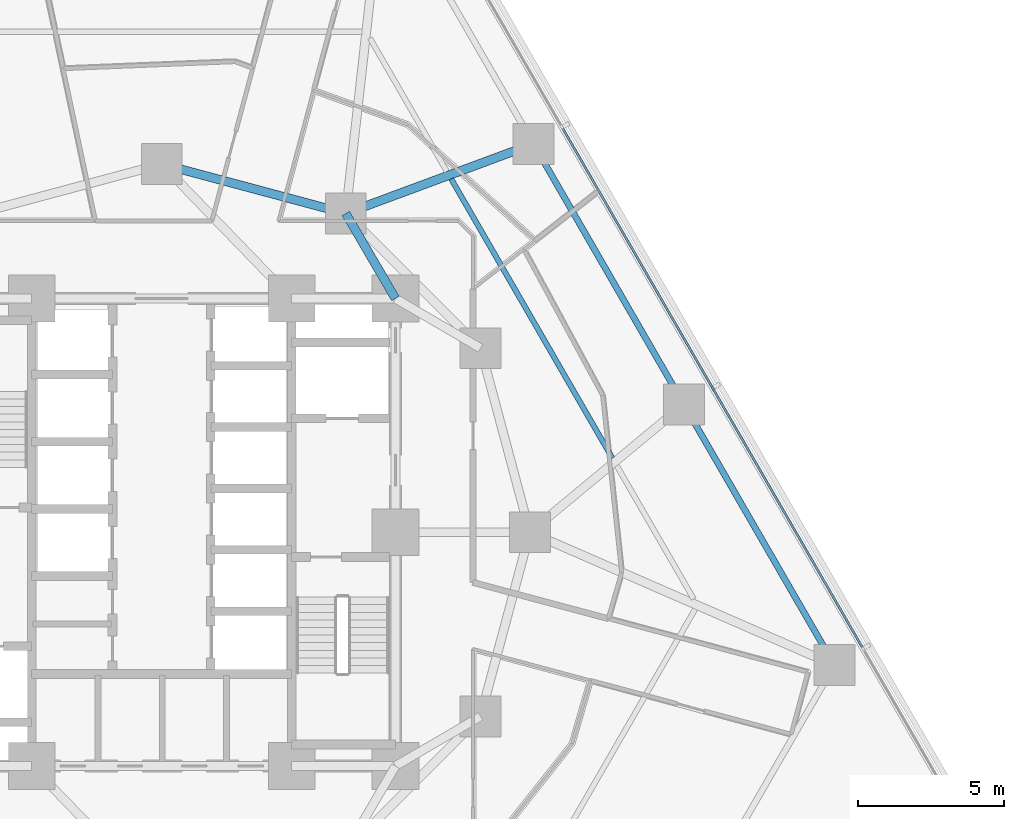
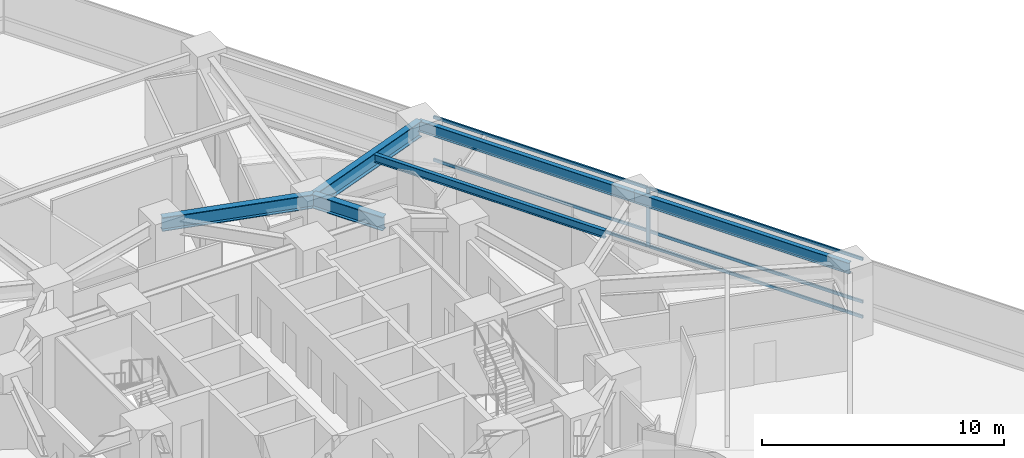
# One storey, part 5 of 15: 7 members, 6 beams, 1 element without a shape of its own.
"""IFC4 building model written with IfcOpenShell, lengths in metres."""

from ifc_helpers import new_model, si_unit, direction, frame, origin, origin_2d, place, context, subcontext, project, spatial, rectangle, i_section, extrude, material, layer, layer_set, material_profile, profile_set, type_object, element, aggregate, save


model = new_model("IFC4")

# Units and contexts
model_context = context("Model", 3, precision=1e-05, world=origin(), true_north=direction((0.0, 1.0)))
body_context = subcontext(model_context, "Body", "Model", "MODEL_VIEW")
ifc_project = project(units=[si_unit("LENGTHUNIT", "METRE"), si_unit("AREAUNIT", "SQUARE_METRE"), si_unit("VOLUMEUNIT", "CUBIC_METRE"), si_unit("PLANEANGLEUNIT", "RADIAN"), si_unit("MASSUNIT", "GRAM", prefix="KILO")], contexts=[model_context])

# Site, building, storey
site_placement = place(None, origin())
site = spatial("IfcSite", under=ifc_project, at=site_placement, CompositionType="ELEMENT")
building_placement = place(site_placement, origin())
building = spatial("IfcBuilding", under=site, at=building_placement, Name="Terralouvre Media Tower", CompositionType="ELEMENT")
storey_placement = place(building_placement, frame((0.0, 0.0, 48.199951171875)))
storey = spatial("IfcBuildingStorey", under=building, at=storey_placement, Name="L11", CompositionType="ELEMENT", Elevation=48.199951171875)

# Beam
ifc_material_1 = material(Name="Structural steel S355J2", Category="steel")
ifc_material_profile_1 = material_profile(ifc_material_1, i_section(OverallWidth=0.179931640625, OverallDepth=0.39990234375, WebThickness=0.008544921875, FlangeThickness=0.013427734375, at=origin_2d()), Name="IPE 400")
ifc_profile_set_1 = profile_set([ifc_material_profile_1], Name="Structural steel S355J2")
beam_type_1 = type_object("IfcBeamType", Name="Composite Floor Joist J-IPE400 (IPE 400)", PredefinedType="JOIST", material=ifc_profile_set_1)
beam_1_placement = place(storey_placement, frame((15.426025390625, 2.535400390625, 3.300048828125), z_axis=(-0.499996323086, 0.866027526641, 0.0), x_axis=(-0.866027526641, -0.499996323086, 0.0)))
element("IfcBeam", 1, at=beam_1_placement, inside=storey, type_object=beam_type_1, Name="L11 Framing Beam JT-L11-07", PredefinedType="JOIST", context=body_context, shape_type="SweptSolid", body=[
    extrude(i_section(OverallWidth=0.179931640625, OverallDepth=0.39990234375, WebThickness=0.008544921875, FlangeThickness=0.013427734375, at=origin_2d()), origin(), (0.0, 0.0, 1.0), 11.03466796875),
])

# Curtain wall, members
ifc_material_2 = material(Name="Low-iron laminated double glazing with solar-control coating", Category="glass")
ifc_layer = layer(ifc_material_2, 0.1650390625, Name="Lower Media Tower Unitised Curtain Wall CW-02")
ifc_layer_set = layer_set([ifc_layer], Name="Low-iron laminated double glazing with solar-control coating")
curtain_wall_type = type_object("IfcCurtainWallType", Name="Lower Media Tower Unitised Curtain Wall CW-02", PredefinedType="NOTDEFINED", material=ifc_layer_set)
curtain_wall_placement = place(storey_placement, origin())
curtain_wall = element("IfcCurtainWall", 2, at=curtain_wall_placement, inside=storey, type_object=curtain_wall_type, Name="L11 Facade Curtain Wall F1", PredefinedType="NOTDEFINED")
ifc_material_3 = material(Name="Anodised extruded aluminium 6063-T6", Category="aluminium")
ifc_material_profile_2 = material_profile(ifc_material_3, rectangle(XDim=0.074951171875, YDim=0.14990234375, at=origin_2d()), Name="ALU 75x150")
ifc_profile_set_2 = profile_set([ifc_material_profile_2], Name="Anodised extruded aluminium 6063-T6")
member_type_1 = type_object("IfcMemberType", Name="Curtain-Wall Horizontal Transom TR-150", PredefinedType="USERDEFINED", material=ifc_profile_set_2)
member_1_placement = place(storey_placement, frame((23.984619140625, -3.94921875, 0.03759765625), z_axis=(-0.499991148707, 0.866030514021, 0.0), x_axis=(-0.866030514021, -0.499991148707, 0.0)))
member_1 = element("IfcMember", 3, at=member_1_placement, type_object=member_type_1, Name="CW-02 transom 2.1", ObjectType="TRANSOM", PredefinedType="USERDEFINED", context=body_context, shape_type="SweptSolid", body=[
    extrude(rectangle(XDim=0.074951171875, YDim=0.14990234375, at=origin_2d()), origin(), (0.0, 0.0, 1.0), 10.224853515625),
])
member_2_placement = place(storey_placement, frame((23.984619140625, -3.94921875, 0.800048828125), z_axis=(-0.499991148707, 0.866030514021, 0.0), x_axis=(-0.866030514021, -0.499991148707, 0.0)))
member_2 = element("IfcMember", 4, at=member_2_placement, type_object=member_type_1, Name="CW-02 transom 2.2", ObjectType="TRANSOM", PredefinedType="USERDEFINED", context=body_context, shape_type="SweptSolid", body=[
    extrude(rectangle(XDim=0.074951171875, YDim=0.14990234375, at=origin_2d()), origin(), (0.0, 0.0, 1.0), 10.224853515625),
])
member_3_placement = place(storey_placement, frame((23.984619140625, -3.94921875, 2.962646484375), z_axis=(-0.499991148707, 0.866030514021, 0.0), x_axis=(-0.866030514021, -0.499991148707, 0.0)))
member_3 = element("IfcMember", 5, at=member_3_placement, type_object=member_type_1, Name="CW-02 transom 2.3", ObjectType="TRANSOM", PredefinedType="USERDEFINED", context=body_context, shape_type="SweptSolid", body=[
    extrude(rectangle(XDim=0.074951171875, YDim=0.14990234375, at=origin_2d()), origin(), (0.0, 0.0, 1.0), 10.224853515625),
])
member_4_placement = place(storey_placement, frame((18.834716796875, 4.970947265625, 0.03759765625), z_axis=(-0.50000905659, 0.866020174897, 0.0), x_axis=(-0.866020174897, -0.50000905659, 0.0)))
member_4 = element("IfcMember", 6, at=member_4_placement, type_object=member_type_1, Name="CW-02 transom 3.1", ObjectType="TRANSOM", PredefinedType="USERDEFINED", context=body_context, shape_type="SweptSolid", body=[
    extrude(rectangle(XDim=0.074951171875, YDim=0.14990234375, at=origin_2d()), origin(), (0.0, 0.0, 1.0), 10.224853515625),
])
member_5_placement = place(storey_placement, frame((18.834716796875, 4.970947265625, 0.800048828125), z_axis=(-0.50000905659, 0.866020174897, 0.0), x_axis=(-0.866020174897, -0.50000905659, 0.0)))
member_5 = element("IfcMember", 7, at=member_5_placement, type_object=member_type_1, Name="CW-02 transom 3.2", ObjectType="TRANSOM", PredefinedType="USERDEFINED", context=body_context, shape_type="SweptSolid", body=[
    extrude(rectangle(XDim=0.074951171875, YDim=0.14990234375, at=origin_2d()), origin(), (0.0, 0.0, 1.0), 10.224853515625),
])
member_6_placement = place(storey_placement, frame((18.834716796875, 4.970947265625, 2.962646484375), z_axis=(-0.50000905659, 0.866020174897, 0.0), x_axis=(-0.866020174897, -0.50000905659, 0.0)))
member_6 = element("IfcMember", 8, at=member_6_placement, type_object=member_type_1, Name="CW-02 transom 3.3", ObjectType="TRANSOM", PredefinedType="USERDEFINED", context=body_context, shape_type="SweptSolid", body=[
    extrude(rectangle(XDim=0.074951171875, YDim=0.14990234375, at=origin_2d()), origin(), (0.0, 0.0, 1.0), 10.224853515625),
])
ifc_material_4 = material(Name="Anodised extruded aluminium 6063-T6", Category="aluminium")
ifc_material_profile_3 = material_profile(ifc_material_4, rectangle(XDim=0.074951171875, YDim=0.179931640625, at=origin_2d()), Name="ALU 75x180")
ifc_profile_set_3 = profile_set([ifc_material_profile_3], Name="Anodised extruded aluminium 6063-T6")
member_type_2 = type_object("IfcMemberType", Name="Curtain-Wall Vertical Mullion ML-180", PredefinedType="MULLION", material=ifc_profile_set_3)
member_7_placement = place(storey_placement, frame((18.853515625, 4.938232421875, 0.0), z_axis=(0.0, 0.0, 1.0), x_axis=(-0.866025412057, -0.499999985671, 0.0)))
member_7 = element("IfcMember", 9, at=member_7_placement, type_object=member_type_2, Name="CW-02 mullion 3", PredefinedType="MULLION", context=body_context, shape_type="SweptSolid", body=[
    extrude(rectangle(XDim=0.074951171875, YDim=0.179931640625, at=origin_2d()), origin(), (0.0, 0.0, 1.0), 3.0),
])
aggregate(curtain_wall, [member_7, member_1, member_2, member_3, member_4, member_5, member_6])

# Beams
ifc_material_5 = material(Name="Structural steel S355J2", Category="steel")
ifc_material_profile_4 = material_profile(ifc_material_5, i_section(OverallWidth=0.2099609375, OverallDepth=0.550048828125, WebThickness=0.010986328125, FlangeThickness=0.01708984375, at=origin_2d()), Name="IPE 550")
ifc_profile_set_4 = profile_set([ifc_material_profile_4], Name="Structural steel S355J2")
beam_type_2 = type_object("IfcBeamType", Name="Perimeter Spandrel Beam SPB-550 (IPE 550)", PredefinedType="SPANDREL", material=ifc_profile_set_4)
for number, where, z_axis, x_axis, name in (
    (10, (23.02490234375, -4.546630859375, 3.22509765625), (-0.500016542852, 0.866015852554, 0.0), (-0.866015852554, -0.500016542852, 0.0), "L11 Framing Beam BM-L11-PR06"),
    (11, (17.874755859375, 4.373291015625, 3.22509765625), (-0.49998850195, 0.866032042085, 0.0), (-0.866032042085, -0.49998850195, 0.0), "L11 Framing Beam BM-L11-PR07"),
):
    element("IfcBeam", number, at=place(storey_placement, frame(where, z_axis=z_axis, x_axis=x_axis)), inside=storey, type_object=beam_type_2, Name=name, PredefinedType="SPANDREL", context=body_context, shape_type="SweptSolid", body=[
        extrude(i_section(OverallWidth=0.2099609375, OverallDepth=0.550048828125, WebThickness=0.010986328125, FlangeThickness=0.01708984375, at=origin_2d()), origin(), (0.0, 0.0, 1.0), 10.300048828125),
    ])
ifc_material_6 = material(Name="Structural steel S460M", Category="steel")
ifc_material_profile_5 = material_profile(ifc_material_6, i_section(OverallWidth=0.300048828125, OverallDepth=0.699951171875, WebThickness=0.01708984375, FlangeThickness=0.031982421875, at=origin_2d()), Name="HEB 700")
ifc_profile_set_5 = profile_set([ifc_material_profile_5], Name="Structural steel S460M")
beam_type_3 = type_object("IfcBeamType", Name="Primary Floor Girder B-HEB700 (HEB 700)", PredefinedType="BEAM", material=ifc_profile_set_5)
beam_2_placement = place(storey_placement, frame((6.300048828125, 10.911865234375, 3.150146484375), z_axis=(-0.965920481897, 0.258838989821, 0.0), x_axis=(-0.258838989821, -0.965920481897, 0.0)))
element("IfcBeam", 12, at=beam_2_placement, inside=storey, type_object=beam_type_3, Name="L11 Framing Beam BM-L11-MR08", PredefinedType="BEAM", context=body_context, shape_type="SweptSolid", body=[
    extrude(i_section(OverallWidth=0.300048828125, OverallDepth=0.699951171875, WebThickness=0.01708984375, FlangeThickness=0.031982421875, at=origin_2d()), origin(), (0.0, 0.0, 1.0), 6.522216796875),
])
beam_3_placement = place(storey_placement, frame((8.0, 8.0, 3.150146484375), z_axis=(-0.504172629717, 0.863602894532, 0.0), x_axis=(-0.863602894532, -0.504172629717, 0.0)))
element("IfcBeam", 13, at=beam_3_placement, inside=storey, type_object=beam_type_3, Name="L11 Framing Beam BM-L11-CM08", PredefinedType="BEAM", context=body_context, shape_type="SweptSolid", body=[
    extrude(i_section(OverallWidth=0.300048828125, OverallDepth=0.699951171875, WebThickness=0.01708984375, FlangeThickness=0.031982421875, at=origin_2d()), origin(), (0.0, 0.0, 1.0), 3.371826171875),
])
ifc_material_7 = material(Name="Structural steel S460M", Category="steel")
ifc_material_profile_6 = material_profile(ifc_material_7, i_section(OverallWidth=0.300048828125, OverallDepth=0.800048828125, WebThickness=0.017578125, FlangeThickness=0.032958984375, at=origin_2d()), Name="HEB 800")
ifc_profile_set_6 = profile_set([ifc_material_profile_6], Name="Structural steel S460M")
beam_type_4 = type_object("IfcBeamType", Name="Primary Floor Girder B-HEB800 (HEB 800)", PredefinedType="BEAM", material=ifc_profile_set_6)
beam_4_placement = place(storey_placement, frame((6.300048828125, 10.911865234375, 3.10009765625), z_axis=(0.937652019179, 0.347575446386, 0.0), x_axis=(-0.347575446386, 0.937652019179, 0.0)))
element("IfcBeam", 14, at=beam_4_placement, inside=storey, type_object=beam_type_4, Name="L11 Framing Beam BM-L11-RD08", PredefinedType="BEAM", context=body_context, shape_type="SweptSolid", body=[
    extrude(i_section(OverallWidth=0.300048828125, OverallDepth=0.800048828125, WebThickness=0.017578125, FlangeThickness=0.032958984375, at=origin_2d()), origin(), (0.0, 0.0, 1.0), 6.85205078125),
])

save(model, "model.ifc")
